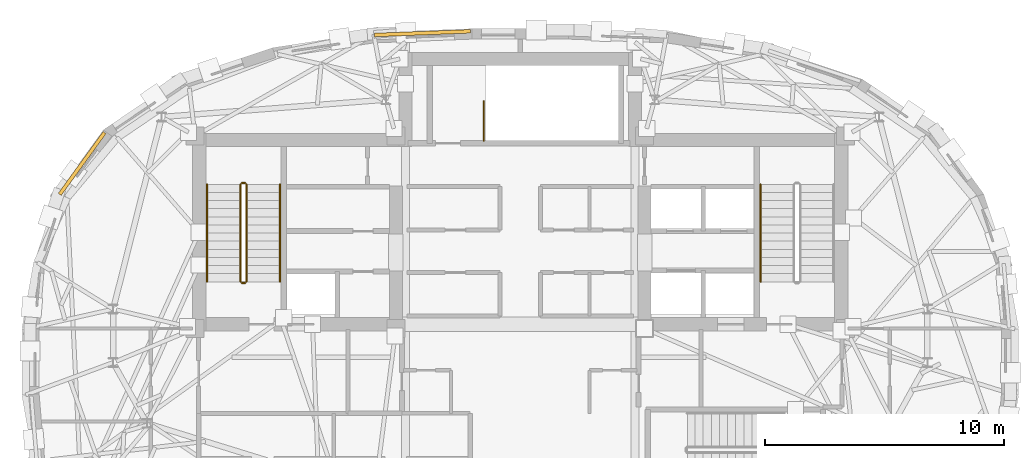
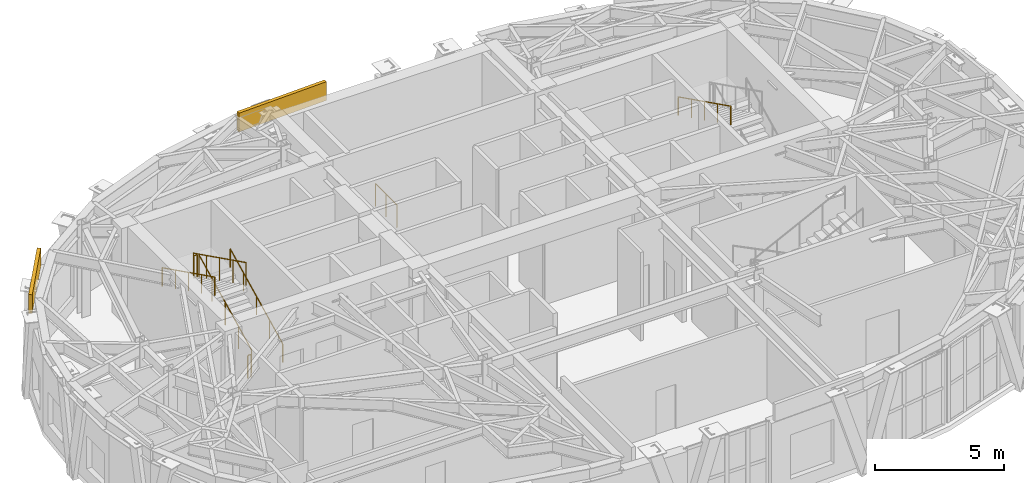
# One storey, part 15 of 16: 8 railings, 2 coverings.
"""IFC4 building model written with IfcOpenShell, lengths in metres."""

from ifc_helpers import new_model, si_unit, direction, frame, origin, origin_2d, place, context, subcontext, project, spatial, rectangle, circle, extrude, material, layer, layer_set, type_object, element, save


model = new_model("IFC4")

# Units and contexts
model_context = context("Model", 3, precision=1e-05, world=origin(), true_north=direction((0.0, 1.0)))
body_context = subcontext(model_context, "Body", "Model", "MODEL_VIEW")
ifc_project = project(units=[si_unit("LENGTHUNIT", "METRE"), si_unit("AREAUNIT", "SQUARE_METRE"), si_unit("VOLUMEUNIT", "CUBIC_METRE"), si_unit("PLANEANGLEUNIT", "RADIAN"), si_unit("MASSUNIT", "GRAM", prefix="KILO")], contexts=[model_context])

# Site, building, storey
site_placement = place(None, origin())
site = spatial("IfcSite", under=ifc_project, at=site_placement, CompositionType="ELEMENT")
building_placement = place(site_placement, origin())
building = spatial("IfcBuilding", under=site, at=building_placement, Name="Keldmark Tower", CompositionType="ELEMENT")
storey_placement = place(building_placement, frame((0.0, 0.0, 264.800048828125)))
storey = spatial("IfcBuildingStorey", under=building, at=storey_placement, Name="L75", CompositionType="ELEMENT", Elevation=264.800048828125)

# Coverings
ifc_material_1 = material(Name="Honed Kasota Buff Dolomitic Limestone", Category="masonry")
ifc_layer = layer(ifc_material_1, 0.074951171875)
ifc_layer_set = layer_set([ifc_layer], Name="Honed Kasota Buff Dolomitic Limestone")
covering_type = type_object("IfcCoveringType", Name="Kasota Buff Limestone Spandrel Cladding Band", PredefinedType="CLADDING", material=ifc_layer_set)
covering_1_placement = place(storey_placement, frame((-4.091064453125, 13.749267578125, 3.490234375), z_axis=(0.0, 0.0, 1.0), x_axis=(-0.999256201254, -0.038562212782, 0.0)))
element("IfcCovering", 1, at=covering_1_placement, inside=storey, type_object=covering_type, Name="L75 Kasota Limestone Spandrel Band 09", PredefinedType="CLADDING", context=body_context, shape_type="SweptSolid", body=[
    extrude(rectangle(XDim=4.023681640625, YDim=0.14990234375, at=origin_2d()), origin(), (0.0, 0.0, 1.0), 0.889892578125),
])
covering_2_placement = place(storey_placement, frame((-18.322509765625, 8.298583984375, 3.490234375), z_axis=(0.0, 0.0, 1.0), x_axis=(-0.587841730901, -0.808975957252, 0.0)))
element("IfcCovering", 2, at=covering_2_placement, inside=storey, type_object=covering_type, Name="L75 Kasota Limestone Spandrel Band 13", PredefinedType="CLADDING", context=body_context, shape_type="SweptSolid", body=[
    extrude(rectangle(XDim=3.190185546875, YDim=0.14990234375, at=origin_2d()), origin(), (0.0, 0.0, 1.0), 0.889892578125),
])

# Railings
ifc_material_2 = material(Name="Painted Steel ASTM A500 Grade B", Category="steel")
railing_type_1 = type_object("IfcRailingType", Name="Painted Steel Stair Well Guard 1100 mm", PredefinedType="GUARDRAIL", material=ifc_material_2)
railing_1_placement = place(storey_placement, frame((-11.449951171875, 3.35009765625, 0.169189453125)))
element("IfcRailing", 3, at=railing_1_placement, inside=storey, type_object=railing_type_1, Name="L75 ST1 stair guard 1", PredefinedType="GUARDRAIL", context=body_context, shape_type="SweptSolid", body=[
    extrude(circle(Radius=0.02392578125, at=origin_2d()), frame((0.0, 0.0, 1.076171875), z_axis=(0.0, 0.895229316009, 0.445605735777), x_axis=(-1.0, 0.0, 0.0)), (0.0, 0.0, 1.0), 4.557373046875),
    extrude(circle(Radius=0.02099609375, at=origin_2d()), origin(), (0.0, 0.0, 1.0), 1.052001953125),
    extrude(circle(Radius=0.02099609375, at=origin_2d()), frame((0.0, 1.02001953125, 0.5078125)), (0.0, 0.0, 1.0), 1.052001953125),
    extrude(circle(Radius=0.02099609375, at=origin_2d()), frame((0.0, 2.0400390625, 1.015380859375)), (0.0, 0.0, 1.0), 1.052001953125),
    extrude(circle(Radius=0.02099609375, at=origin_2d()), frame((0.0, 3.059814453125, 1.52294921875)), (0.0, 0.0, 1.0), 1.052001953125),
    extrude(circle(Radius=0.02099609375, at=origin_2d()), frame((0.0, 4.079833984375, 2.03076171875)), (0.0, 0.0, 1.0), 1.052001953125),
])
railing_2_placement = place(storey_placement, frame((-11.5, 7.47998046875, 2.199951171875)))
element("IfcRailing", 4, at=railing_2_placement, inside=storey, type_object=railing_type_1, Name="L75 ST1 stair guard 2", PredefinedType="GUARDRAIL", context=body_context, shape_type="SweptSolid", body=[
    extrude(circle(Radius=0.02392578125, at=origin_2d()), frame((0.0, 0.0, 1.076171875), z_axis=(-1.0, 0.0, 0.0), x_axis=(0.0, -1.0, 0.0)), (0.0, 0.0, 1.0), 0.14990234375),
    extrude(circle(Radius=0.02099609375, at=origin_2d()), origin(), (0.0, 0.0, 1.0), 1.052001953125),
    extrude(circle(Radius=0.02099609375, at=origin_2d()), frame((-0.14990234375, 0.0, 0.0)), (0.0, 0.0, 1.0), 1.052001953125),
])
railing_3_placement = place(storey_placement, frame((-11.699951171875, 7.429931640625, 2.369140625)))
element("IfcRailing", 5, at=railing_3_placement, inside=storey, type_object=railing_type_1, Name="L75 ST1 stair guard 3", PredefinedType="GUARDRAIL", context=body_context, shape_type="SweptSolid", body=[
    extrude(circle(Radius=0.02392578125, at=origin_2d()), frame((0.0, 0.0, 1.076171875), z_axis=(0.0, -0.895229316009, 0.445605735777), x_axis=(1.0, 0.0, 0.0)), (0.0, 0.0, 1.0), 4.557373046875),
    extrude(circle(Radius=0.02099609375, at=origin_2d()), origin(), (0.0, 0.0, 1.0), 1.052001953125),
    extrude(circle(Radius=0.02099609375, at=origin_2d()), frame((0.0, -1.02001953125, 0.5078125)), (0.0, 0.0, 1.0), 1.052001953125),
    extrude(circle(Radius=0.02099609375, at=origin_2d()), frame((0.0, -2.0400390625, 1.015380859375)), (0.0, 0.0, 1.0), 1.052001953125),
    extrude(circle(Radius=0.02099609375, at=origin_2d()), frame((0.0, -3.059814453125, 1.52294921875)), (0.0, 0.0, 1.0), 1.052001953125),
    extrude(circle(Radius=0.02099609375, at=origin_2d()), frame((0.0, -4.079833984375, 2.03076171875)), (0.0, 0.0, 1.0), 1.052001953125),
])
railing_4_placement = place(storey_placement, frame((-11.5, 3.300048828125, 0.0)))
element("IfcRailing", 6, at=railing_4_placement, inside=storey, type_object=railing_type_1, Name="L75 ST1 stair guard 4", PredefinedType="GUARDRAIL", context=body_context, shape_type="SweptSolid", body=[
    extrude(circle(Radius=0.02392578125, at=origin_2d()), frame((0.0, 0.0, 1.076171875), z_axis=(-1.0, 0.0, 0.0), x_axis=(0.0, -1.0, 0.0)), (0.0, 0.0, 1.0), 0.14990234375),
    extrude(circle(Radius=0.02099609375, at=origin_2d()), origin(), (0.0, 0.0, 1.0), 1.052001953125),
    extrude(circle(Radius=0.02099609375, at=origin_2d()), frame((-0.14990234375, 0.0, 0.0)), (0.0, 0.0, 1.0), 1.052001953125),
])
railing_5_placement = place(storey_placement, frame((-1.52490234375, 9.25, 0.0)))
element("IfcRailing", 7, at=railing_5_placement, inside=storey, type_object=railing_type_1, Name="L75 ST3 top well guard 1", PredefinedType="GUARDRAIL", context=body_context, shape_type="SweptSolid", body=[
    extrude(circle(Radius=0.02392578125, at=origin_2d()), frame((0.0, 0.0, 1.076171875), z_axis=(0.0, 1.0, 0.0), x_axis=(-1.0, 0.0, 0.0)), (0.0, 0.0, 1.0), 1.64990234375),
    extrude(circle(Radius=0.02099609375, at=origin_2d()), origin(), (0.0, 0.0, 1.0), 1.052001953125),
    extrude(circle(Radius=0.02099609375, at=origin_2d()), frame((0.0, 0.824951171875, 0.0)), (0.0, 0.0, 1.0), 1.052001953125),
    extrude(circle(Radius=0.02099609375, at=origin_2d()), frame((0.0, 1.64990234375, 0.0)), (0.0, 0.0, 1.0), 1.052001953125),
])
ifc_material_3 = material(Name="Stainless Steel AISI 316L", Category="steel")
railing_type_2 = type_object("IfcRailingType", Name="Stainless Steel Stair Handrail 900 mm", PredefinedType="HANDRAIL", material=ifc_material_3)
railing_6_placement = place(storey_placement, frame((-10.050048828125, 3.35009765625, 0.169189453125)))
element("IfcRailing", 8, at=railing_6_placement, inside=storey, type_object=railing_type_2, Name="L75 ST1 stair handrail 1", PredefinedType="HANDRAIL", context=body_context, shape_type="SweptSolid", body=[
    extrude(circle(Radius=0.02392578125, at=origin_2d()), frame((0.0, 0.0, 0.8759765625), z_axis=(0.0, 0.895229316009, 0.445605735777), x_axis=(-1.0, 0.0, 0.0)), (0.0, 0.0, 1.0), 4.557373046875),
    extrude(circle(Radius=0.02099609375, at=origin_2d()), origin(), (0.0, 0.0, 1.0), 0.851806640625),
    extrude(circle(Radius=0.02099609375, at=origin_2d()), frame((0.0, 1.02001953125, 0.5078125)), (0.0, 0.0, 1.0), 0.851806640625),
    extrude(circle(Radius=0.02099609375, at=origin_2d()), frame((0.0, 2.0400390625, 1.015380859375)), (0.0, 0.0, 1.0), 0.851806640625),
    extrude(circle(Radius=0.02099609375, at=origin_2d()), frame((0.0, 3.059814453125, 1.52294921875)), (0.0, 0.0, 1.0), 0.851806640625),
    extrude(circle(Radius=0.02099609375, at=origin_2d()), frame((0.0, 4.079833984375, 2.03076171875)), (0.0, 0.0, 1.0), 0.851806640625),
])
for number, where, name in (
    (9, (-13.10009765625, 7.429931640625, 2.369140625), "L75 ST1 stair handrail 2"),
    (10, (10.050048828125, 7.429931640625, 2.369140625), "L75 ST2 stair handrail 2"),
):
    element("IfcRailing", number, at=place(storey_placement, frame(where)), inside=storey, type_object=railing_type_2, Name=name, PredefinedType="HANDRAIL", context=body_context, shape_type="SweptSolid", body=[
        extrude(circle(Radius=0.02392578125, at=origin_2d()), frame((0.0, 0.0, 0.8759765625), z_axis=(0.0, -0.895229316009, 0.445605735777), x_axis=(1.0, 0.0, 0.0)), (0.0, 0.0, 1.0), 4.557373046875),
        extrude(circle(Radius=0.02099609375, at=origin_2d()), origin(), (0.0, 0.0, 1.0), 0.851806640625),
        extrude(circle(Radius=0.02099609375, at=origin_2d()), frame((0.0, -1.02001953125, 0.5078125)), (0.0, 0.0, 1.0), 0.851806640625),
        extrude(circle(Radius=0.02099609375, at=origin_2d()), frame((0.0, -2.0400390625, 1.015380859375)), (0.0, 0.0, 1.0), 0.851806640625),
        extrude(circle(Radius=0.02099609375, at=origin_2d()), frame((0.0, -3.059814453125, 1.52294921875)), (0.0, 0.0, 1.0), 0.851806640625),
        extrude(circle(Radius=0.02099609375, at=origin_2d()), frame((0.0, -4.079833984375, 2.03076171875)), (0.0, 0.0, 1.0), 0.851806640625),
    ])

save(model, "model.ifc")
